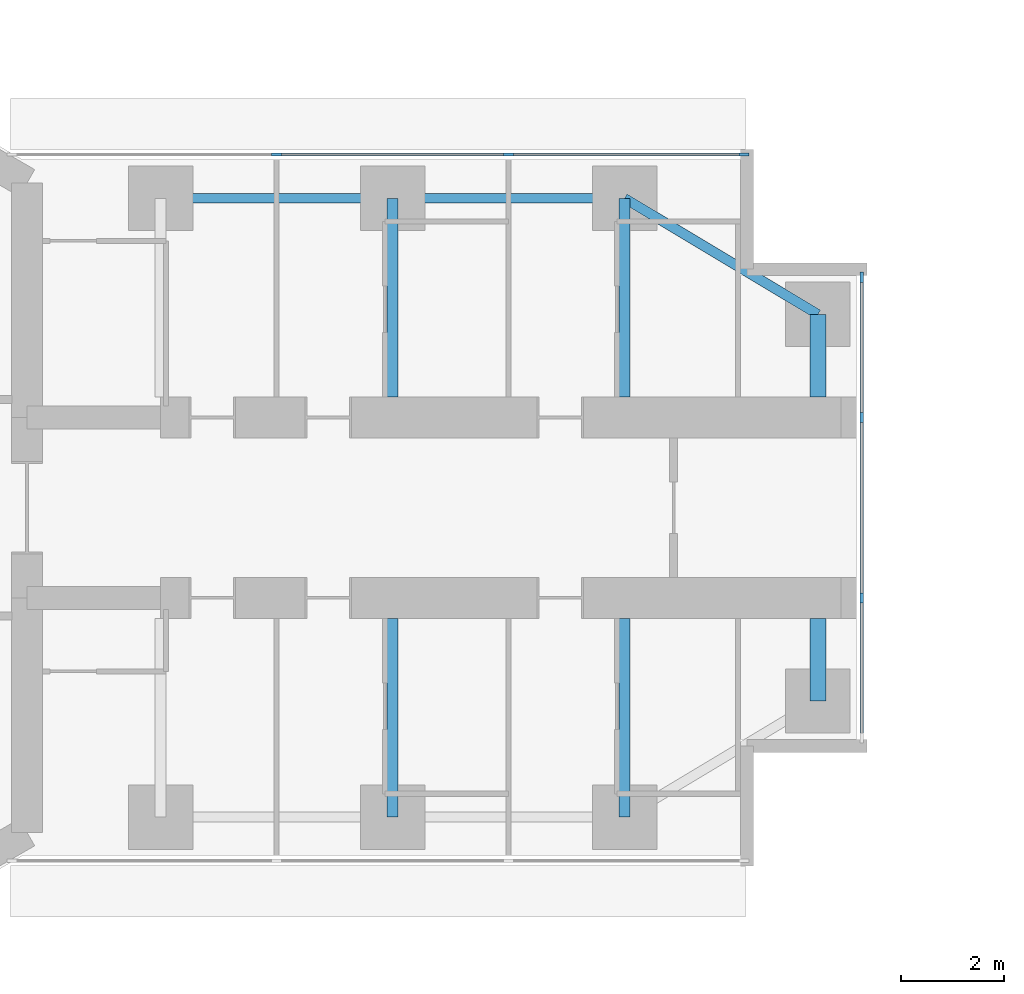
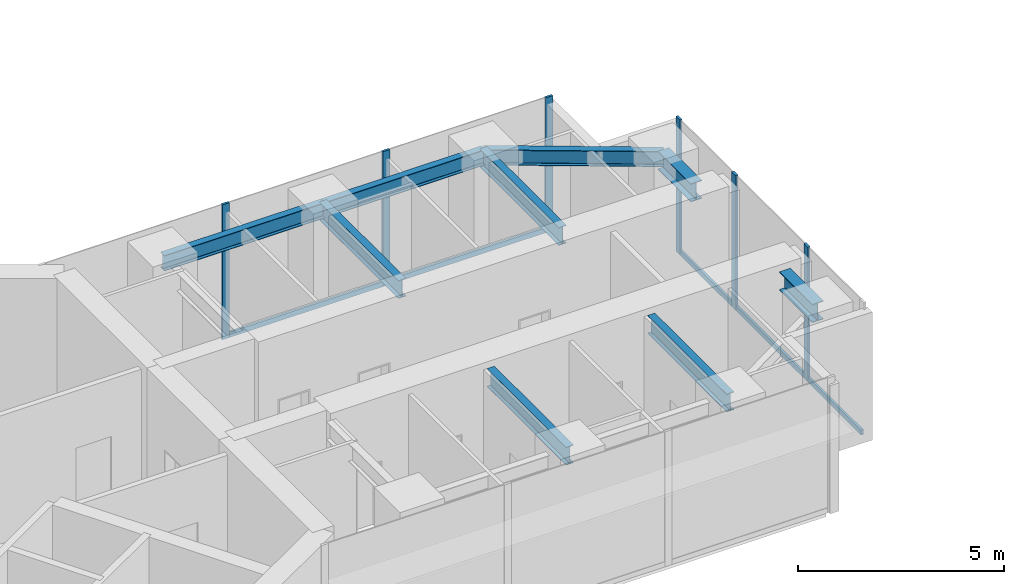
# One storey, part 7 of 23: 11 members, 9 beams, 2 elements without a shape of their own.
"""IFC4 building model written with IfcOpenShell, lengths in metres."""

from ifc_helpers import new_model, si_unit, direction, frame, origin, origin_2d, place, context, subcontext, project, spatial, rectangle, i_section, extrude, material, material_profile, profile_set, type_object, element, aggregate, save


model = new_model("IFC4")

# Units and contexts
model_context = context("Model", 3, precision=1e-05, world=origin(), true_north=direction((0.0, 1.0)))
body_context = subcontext(model_context, "Body", "Model", "MODEL_VIEW")
ifc_project = project(units=[si_unit("LENGTHUNIT", "METRE"), si_unit("AREAUNIT", "SQUARE_METRE"), si_unit("VOLUMEUNIT", "CUBIC_METRE"), si_unit("PLANEANGLEUNIT", "RADIAN"), si_unit("MASSUNIT", "GRAM", prefix="KILO")], contexts=[model_context])

# Site, building, storey
site_placement = place(None, origin())
site = spatial("IfcSite", under=ifc_project, at=site_placement, CompositionType="ELEMENT")
building_placement = place(site_placement, origin())
building = spatial("IfcBuilding", under=site, at=building_placement, Name="Upepo Twin Towers", CompositionType="ELEMENT")
storey_placement = place(building_placement, frame((0.0, 0.0, 157.5)))
storey = spatial("IfcBuildingStorey", under=building, at=storey_placement, Name="L38", CompositionType="ELEMENT", Elevation=157.5)

# Beams
ifc_material_1 = material(Name="Steel S355", Category="steel")
ifc_material_profile_1 = material_profile(ifc_material_1, i_section(OverallWidth=0.1904296875, OverallDepth=0.45703125, WebThickness=0.009033203125, FlangeThickness=0.014404296875, FilletRadius=0.01025390625, at=origin_2d()), Name="UB 457x191x74")
ifc_profile_set_1 = profile_set([ifc_material_profile_1], Name="Steel S355")
beam_type_1 = type_object("IfcBeamType", Name="Beam UB 457x191x74", PredefinedType="BEAM", material=ifc_profile_set_1)
for number, where, z_axis, x_axis, name in (
    (1, (13.5, 6.0, 3.571533203125), (1.0, 0.0, 0.0), (0.0, 1.0, 0.0), "T1 edge beam AL 13.5-18.0"),
    (2, (18.0, 6.0, 3.571533203125), (1.0, 0.0, 0.0), (0.0, 1.0, 0.0), "T1 edge beam AL 18.0-22.5"),
):
    element("IfcBeam", number, at=place(storey_placement, frame(where, z_axis=z_axis, x_axis=x_axis)), inside=storey, type_object=beam_type_1, Name=name, PredefinedType="BEAM", context=body_context, shape_type="SweptSolid", body=[
        extrude(i_section(OverallWidth=0.1904296875, OverallDepth=0.45703125, WebThickness=0.009033203125, FlangeThickness=0.014404296875, FilletRadius=0.01025390625, at=origin_2d()), origin(), (0.0, 0.0, 1.0), 4.5),
    ])
beam_placement = place(storey_placement, frame((22.5, 6.0, 3.571533203125), z_axis=(0.857492925713, -0.514495755428, 0.0), x_axis=(0.514495755428, 0.857492925713, 0.0)))
element("IfcBeam", 3, at=beam_placement, inside=storey, type_object=beam_type_1, Name="T1 nose edge beam AL", PredefinedType="BEAM", context=body_context, shape_type="SweptSolid", body=[
    extrude(i_section(OverallWidth=0.1904296875, OverallDepth=0.45703125, WebThickness=0.009033203125, FlangeThickness=0.014404296875, FilletRadius=0.01025390625, at=origin_2d()), origin(), (0.0, 0.0, 1.0), 4.373291015625),
])
ifc_material_2 = material(Name="Steel S355", Category="steel")
ifc_material_profile_2 = material_profile(ifc_material_2, i_section(OverallWidth=0.209228515625, OverallDepth=0.533203125, WebThickness=0.010009765625, FlangeThickness=0.015625, FilletRadius=0.0126953125, at=origin_2d()), Name="UB 533x210x92")
ifc_profile_set_2 = profile_set([ifc_material_profile_2], Name="Steel S355")
beam_type_2 = type_object("IfcBeamType", Name="Beam UB 533x210x92", PredefinedType="BEAM", material=ifc_profile_set_2)
for number, where, z_axis, x_axis, name in (
    (4, (18.0, 6.0, 3.533447265625), (0.0, -1.0, 0.0), (1.0, 0.0, 0.0), "T1 girder AL at 18.0"),
    (5, (22.5, 6.0, 3.533447265625), (0.0, -1.0, 0.0), (1.0, 0.0, 0.0), "T1 girder AL at 22.5"),
    (6, (18.0, -6.0, 3.533447265625), (0.0, 1.0, 0.0), (-1.0, 0.0, 0.0), "T1 girder AR at 18.0"),
    (7, (22.5, -6.0, 3.533447265625), (0.0, 1.0, 0.0), (-1.0, 0.0, 0.0), "T1 girder AR at 22.5"),
):
    element("IfcBeam", number, at=place(storey_placement, frame(where, z_axis=z_axis, x_axis=x_axis)), inside=storey, type_object=beam_type_2, Name=name, PredefinedType="BEAM", context=body_context, shape_type="SweptSolid", body=[
        extrude(i_section(OverallWidth=0.209228515625, OverallDepth=0.533203125, WebThickness=0.010009765625, FlangeThickness=0.015625, FilletRadius=0.0126953125, at=origin_2d()), origin(), (0.0, 0.0, 1.0), 3.85009765625),
    ])
ifc_material_3 = material(Name="Steel S355", Category="steel")
ifc_material_profile_3 = material_profile(ifc_material_3, i_section(OverallWidth=0.31201171875, OverallDepth=0.54345703125, WebThickness=0.0126953125, FlangeThickness=0.020263671875, FilletRadius=0.0126953125, at=origin_2d()), Name="UB 533x312x150")
ifc_profile_set_3 = profile_set([ifc_material_profile_3], Name="Steel S355")
beam_type_3 = type_object("IfcBeamType", Name="Beam UB 533x312x150", PredefinedType="BEAM", material=ifc_profile_set_3)
for number, where, z_axis, x_axis, name in (
    (8, (26.25, 3.75, 3.5283203125), (0.0, -1.0, 0.0), (1.0, 0.0, 0.0), "T1 nose beam AL"),
    (9, (26.25, -3.75, 3.5283203125), (0.0, 1.0, 0.0), (-1.0, 0.0, 0.0), "T1 nose beam AR"),
):
    element("IfcBeam", number, at=place(storey_placement, frame(where, z_axis=z_axis, x_axis=x_axis)), inside=storey, type_object=beam_type_3, Name=name, PredefinedType="BEAM", context=body_context, shape_type="SweptSolid", body=[
        extrude(i_section(OverallWidth=0.31201171875, OverallDepth=0.54345703125, WebThickness=0.0126953125, FlangeThickness=0.020263671875, FilletRadius=0.0126953125, at=origin_2d()), origin(), (0.0, 0.0, 1.0), 1.60009765625),
    ])

# Curtain wall, members
ifc_material_4 = material(Name="Aluminium and fritted glass", Category="aluminium")
curtain_wall_type = type_object("IfcCurtainWallType", Name="Tower curtain wall TW2, fritted glass", PredefinedType="NOTDEFINED", material=ifc_material_4)
curtain_wall_1_placement = place(storey_placement, origin())
curtain_wall_1 = element("IfcCurtainWall", 10, at=curtain_wall_1_placement, inside=storey, type_object=curtain_wall_type, Name="T1 L38 wing A flank L curtain wall", PredefinedType="NOTDEFINED")
ifc_material_5 = material(Name="Aluminium mullion", Category="aluminium")
ifc_material_profile_4 = material_profile(ifc_material_5, rectangle(XDim=0.06494140625, YDim=0.199951171875, at=origin_2d()), Name="MULLION 65x200")
ifc_profile_set_4 = profile_set([ifc_material_profile_4], Name="Aluminium mullion")
member_type_1 = type_object("IfcMemberType", Name="Mullion 65x200 TW2", PredefinedType="MULLION", material=ifc_profile_set_4)
member_1_placement = place(storey_placement, frame((15.75, 6.85009765625, 0.0), z_axis=(0.0, 0.0, 1.0), x_axis=(0.0, 1.0, 0.0)))
member_1 = element("IfcMember", 11, at=member_1_placement, type_object=member_type_1, Name="T1 L38 wing A flank L curtain wall mullion 2", PredefinedType="MULLION", context=body_context, shape_type="SweptSolid", body=[
    extrude(rectangle(XDim=0.06494140625, YDim=0.199951171875, at=origin_2d()), origin(), (0.0, 0.0, 1.0), 4.0),
])
member_2_placement = place(storey_placement, frame((20.25, 6.85009765625, 0.0), z_axis=(0.0, 0.0, 1.0), x_axis=(0.0, 1.0, 0.0)))
member_2 = element("IfcMember", 12, at=member_2_placement, type_object=member_type_1, Name="T1 L38 wing A flank L curtain wall mullion 3", PredefinedType="MULLION", context=body_context, shape_type="SweptSolid", body=[
    extrude(rectangle(XDim=0.06494140625, YDim=0.199951171875, at=origin_2d()), origin(), (0.0, 0.0, 1.0), 4.0),
])
member_3_placement = place(storey_placement, frame((24.8173828125, 6.85009765625, 0.0), z_axis=(0.0, 0.0, 1.0), x_axis=(0.0, 1.0, 0.0)))
member_3 = element("IfcMember", 13, at=member_3_placement, type_object=member_type_1, Name="T1 L38 wing A flank L curtain wall mullion 4", PredefinedType="MULLION", context=body_context, shape_type="SweptSolid", body=[
    extrude(rectangle(XDim=0.06494140625, YDim=0.199951171875, at=origin_2d()), origin(), (0.0, 0.0, 1.0), 4.0),
])

curtain_wall_2_placement = place(storey_placement, origin())
curtain_wall_2 = element("IfcCurtainWall", 14, at=curtain_wall_2_placement, inside=storey, type_object=curtain_wall_type, Name="T1 L38 wing A nose curtain wall", PredefinedType="NOTDEFINED")
member_4_placement = place(storey_placement, frame((27.10009765625, -1.75, 0.0), z_axis=(0.0, 0.0, 1.0), x_axis=(-1.0, 0.0, 0.0)))
member_4 = element("IfcMember", 15, at=member_4_placement, type_object=member_type_1, Name="T1 L38 wing A nose curtain wall mullion 2", PredefinedType="MULLION", context=body_context, shape_type="SweptSolid", body=[
    extrude(rectangle(XDim=0.06494140625, YDim=0.199951171875, at=origin_2d()), origin(), (0.0, 0.0, 1.0), 4.0),
])
member_5_placement = place(storey_placement, frame((27.10009765625, 1.75, 0.0), z_axis=(0.0, 0.0, 1.0), x_axis=(-1.0, 0.0, 0.0)))
member_5 = element("IfcMember", 16, at=member_5_placement, type_object=member_type_1, Name="T1 L38 wing A nose curtain wall mullion 3", PredefinedType="MULLION", context=body_context, shape_type="SweptSolid", body=[
    extrude(rectangle(XDim=0.06494140625, YDim=0.199951171875, at=origin_2d()), origin(), (0.0, 0.0, 1.0), 4.0),
])
member_6_placement = place(storey_placement, frame((27.10009765625, 4.467529296875, 0.0), z_axis=(0.0, 0.0, 1.0), x_axis=(-1.0, 0.0, 0.0)))
member_6 = element("IfcMember", 17, at=member_6_placement, type_object=member_type_1, Name="T1 L38 wing A nose curtain wall mullion 4", PredefinedType="MULLION", context=body_context, shape_type="SweptSolid", body=[
    extrude(rectangle(XDim=0.06494140625, YDim=0.199951171875, at=origin_2d()), origin(), (0.0, 0.0, 1.0), 4.0),
])

# Member
ifc_material_6 = material(Name="Aluminium transom", Category="aluminium")
ifc_material_profile_5 = material_profile(ifc_material_6, rectangle(XDim=0.06494140625, YDim=0.14990234375, at=origin_2d()), Name="TRANSOM 65x150")
ifc_profile_set_5 = profile_set([ifc_material_profile_5], Name="Aluminium transom")
member_type_2 = type_object("IfcMemberType", Name="Transom 65x150 TW2", PredefinedType="USERDEFINED", material=ifc_profile_set_5)
member_7_placement = place(storey_placement, frame((15.782470703125, 6.85009765625, 0.074951171875), z_axis=(1.0, 0.0, 0.0), x_axis=(0.0, 1.0, 0.0)))
member_7 = element("IfcMember", 18, at=member_7_placement, type_object=member_type_2, Name="T1 L38 wing A flank L curtain wall transom 2", ObjectType="TRANSOM", PredefinedType="USERDEFINED", context=body_context, shape_type="SweptSolid", body=[
    extrude(rectangle(XDim=0.06494140625, YDim=0.14990234375, at=origin_2d()), origin(), (0.0, 0.0, 1.0), 4.43505859375),
])

member_8_placement = place(storey_placement, frame((20.282470703125, 6.85009765625, 0.074951171875), z_axis=(1.0, 0.0, 0.0), x_axis=(0.0, 1.0, 0.0)))
member_8 = element("IfcMember", 19, at=member_8_placement, type_object=member_type_2, Name="T1 L38 wing A flank L curtain wall transom 3", ObjectType="TRANSOM", PredefinedType="USERDEFINED", context=body_context, shape_type="SweptSolid", body=[
    extrude(rectangle(XDim=0.06494140625, YDim=0.14990234375, at=origin_2d()), origin(), (0.0, 0.0, 1.0), 4.50244140625),
])

aggregate(curtain_wall_1, [member_1, member_2, member_3, member_7, member_8])

member_9_placement = place(storey_placement, frame((27.10009765625, -4.43505859375, 0.074951171875), z_axis=(0.0, 1.0, 0.0), x_axis=(-1.0, 0.0, 0.0)))
member_9 = element("IfcMember", 20, at=member_9_placement, type_object=member_type_2, Name="T1 L38 wing A nose curtain wall transom 1", ObjectType="TRANSOM", PredefinedType="USERDEFINED", context=body_context, shape_type="SweptSolid", body=[
    extrude(rectangle(XDim=0.06494140625, YDim=0.14990234375, at=origin_2d()), origin(), (0.0, 0.0, 1.0), 2.652587890625),
])

member_10_placement = place(storey_placement, frame((27.10009765625, -1.717529296875, 0.074951171875), z_axis=(0.0, 1.0, 0.0), x_axis=(-1.0, 0.0, 0.0)))
member_10 = element("IfcMember", 21, at=member_10_placement, type_object=member_type_2, Name="T1 L38 wing A nose curtain wall transom 2", ObjectType="TRANSOM", PredefinedType="USERDEFINED", context=body_context, shape_type="SweptSolid", body=[
    extrude(rectangle(XDim=0.06494140625, YDim=0.14990234375, at=origin_2d()), origin(), (0.0, 0.0, 1.0), 3.43505859375),
])

member_11_placement = place(storey_placement, frame((27.10009765625, 1.782470703125, 0.074951171875), z_axis=(0.0, 1.0, 0.0), x_axis=(-1.0, 0.0, 0.0)))
member_11 = element("IfcMember", 22, at=member_11_placement, type_object=member_type_2, Name="T1 L38 wing A nose curtain wall transom 3", ObjectType="TRANSOM", PredefinedType="USERDEFINED", context=body_context, shape_type="SweptSolid", body=[
    extrude(rectangle(XDim=0.06494140625, YDim=0.14990234375, at=origin_2d()), origin(), (0.0, 0.0, 1.0), 2.652587890625),
])

aggregate(curtain_wall_2, [member_4, member_5, member_6, member_9, member_10, member_11])

save(model, "model.ifc")
